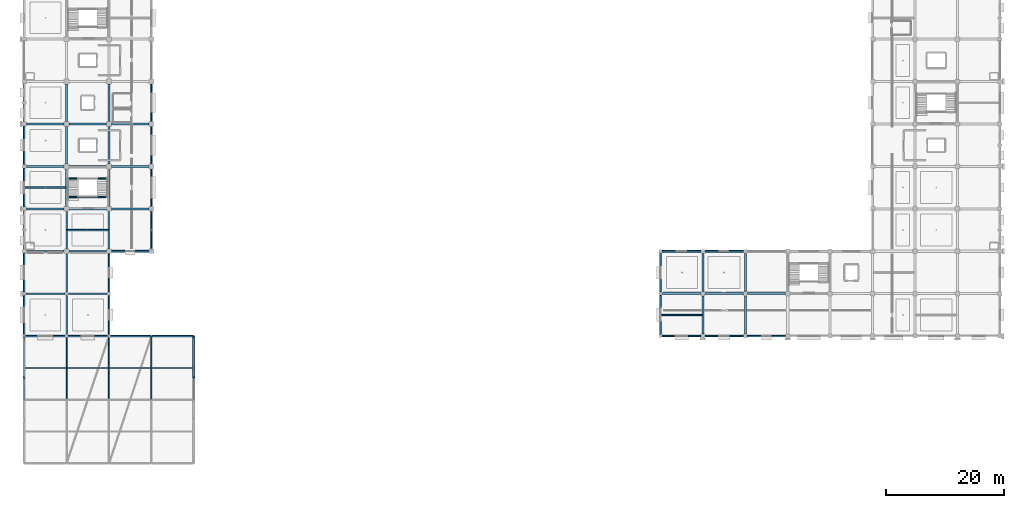
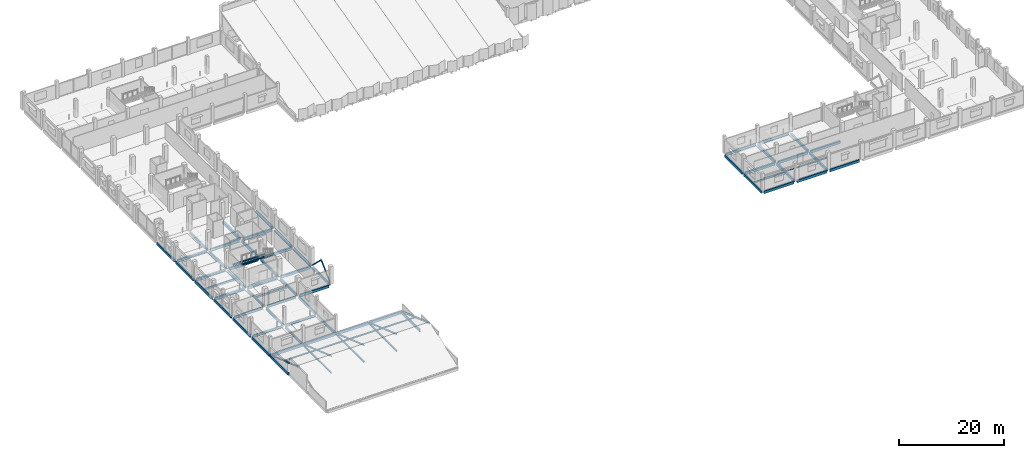
# One storey, part 5 of 108: 63 beams, 14 members.
"""IFC4 building model written with IfcOpenShell, lengths in metres."""

import ifcopenshell
import ifcopenshell.guid

model = None  # the IFC model being written
_history = None  # IfcOwnerHistory: only IFC2X3 demands one
_inside = {}  # id of a spatial element -> (the spatial element, [elements in it])
_under = {}  # id of a project, library or spatial element -> (it, [spatial elements below it])
_declared = {}  # id of a project -> (the project, [libraries it declares])
_typed = {}  # id of a type object -> (the type object, [elements of that type])
_made_of = {}  # id of a material, layer set ... -> (it, [elements and type objects made of it])


def new_model(schema):
    """Start an empty IFC model of exactly this schema.

    Asked for "IFC4X3", IfcOpenShell would pick the latest addendum, in which some entities
    have other attributes; the version numbers below select the first issue.
    IFC2X3 requires an IfcOwnerHistory on every rooted entity: one is made here for all.
    """
    global model, _history
    if schema == "IFC4X3":
        model = ifcopenshell.file(schema_version=(4, 3, 0, 0))
    else:
        model = ifcopenshell.file(schema=schema)
    _inside.clear()
    _under.clear()
    _declared.clear()
    _typed.clear()
    _made_of.clear()
    _history = None
    if model.schema == "IFC2X3":
        org = make("IfcOrganization", Name="unknown")
        user = make(
            "IfcPersonAndOrganization",
            ThePerson=make("IfcPerson", FamilyName="unknown"),
            TheOrganization=org,
        )
        app = make(
            "IfcApplication",
            ApplicationDeveloper=org,
            Version="unknown",
            ApplicationFullName="unknown",
            ApplicationIdentifier="unknown",
        )
        _history = make(
            "IfcOwnerHistory",
            OwningUser=user,
            OwningApplication=app,
            ChangeAction="ADDED",
            CreationDate=0,
        )
    return model


def make(cls, **values):
    """One entity of the class cls with the attributes given. An attribute that is None is left unset."""
    return model.create_entity(
        cls, **{name: value for name, value in values.items() if value is not None}
    )


def rooted(cls, **values):
    """An entity with a GlobalId (a new one), such as an element, a storey or a relation."""
    return make(cls, GlobalId=ifcopenshell.guid.new(), OwnerHistory=_history, **values)


def si_unit(unit_type, name, prefix=None):
    """IfcSIUnit, for example si_unit("LENGTHUNIT", "METRE", prefix="MILLI")."""
    return make("IfcSIUnit", UnitType=unit_type, Prefix=prefix, Name=name)


def assignment(units):
    """IfcUnitAssignment: the units of a project."""
    return None if units is None else make("IfcUnitAssignment", Units=units)


def point(xyz):
    """IfcCartesianPoint."""
    return None if xyz is None else make("IfcCartesianPoint", Coordinates=xyz)


def direction(xyz):
    """IfcDirection."""
    return None if xyz is None else make("IfcDirection", DirectionRatios=xyz)


def frame(location, z_axis=None, x_axis=None):
    """IfcAxis2Placement3D, a coordinate frame: its origin and axes. An axis left out is left unset."""
    return make(
        "IfcAxis2Placement3D",
        Location=point(location),
        Axis=direction(z_axis),
        RefDirection=direction(x_axis),
    )


def frame_2d(location, x_axis=None):
    """IfcAxis2Placement2D, a coordinate frame in the plane: its origin and x axis."""
    return make(
        "IfcAxis2Placement2D", Location=point(location), RefDirection=direction(x_axis)
    )


def origin():
    """The frame at (0, 0, 0) with its axes left unset."""
    return frame((0.0, 0.0, 0.0))


def origin_2d():
    """The frame at (0, 0) in the plane with its x axis left unset."""
    return frame_2d((0.0, 0.0))


def place(relative_to, where):
    """IfcLocalPlacement: puts the frame where relative to a parent placement (None: the world)."""
    return make(
        "IfcLocalPlacement", PlacementRelTo=relative_to, RelativePlacement=where
    )


def context(
    kind, dimensions, precision=None, world=None, true_north=None, identifier=None
):
    """IfcGeometricRepresentationContext, for example the 3D "Model" context."""
    return make(
        "IfcGeometricRepresentationContext",
        ContextIdentifier=identifier,
        ContextType=kind,
        CoordinateSpaceDimension=dimensions,
        Precision=precision,
        WorldCoordinateSystem=world,
        TrueNorth=true_north,
    )


def subcontext(parent, identifier, kind, view, scale=None):
    """IfcGeometricRepresentationSubContext, for example "Body" below "Model"."""
    return make(
        "IfcGeometricRepresentationSubContext",
        ContextIdentifier=identifier,
        ContextType=kind,
        ParentContext=parent,
        TargetScale=scale,
        TargetView=view,
    )


def project(units=None, contexts=None):
    """IfcProject with its units and contexts."""
    return rooted(
        "IfcProject",
        Name="project",
        RepresentationContexts=contexts,
        UnitsInContext=assignment(units),
    )


def spatial(cls, under=None, at=None, **own):
    """A site, building, storey or space (cls), placed at a placement, below another one or the project."""
    s = rooted(cls, ObjectPlacement=at, **own)
    if under is not None:
        _under.setdefault(under.id(), (under, []))[1].append(s)
    return s


def profile(cls, at=None, kind="AREA", **sizes):
    """A parametric profile (cls). Its sizes go by their IFC names, for example OverallWidth=200.0."""
    return make(cls, ProfileType=kind, Position=at, **sizes)


def rectangle(**sizes):
    """IfcRectangleProfileDef."""
    return profile("IfcRectangleProfileDef", **sizes)


def hollow_circle(**sizes):
    """IfcCircleHollowProfileDef."""
    return profile("IfcCircleHollowProfileDef", **sizes)


def i_section(**sizes):
    """IfcIShapeProfileDef."""
    return profile("IfcIShapeProfileDef", **sizes)


def extrude(swept, where, along, depth):
    """IfcExtrudedAreaSolid: the profile swept, set in the frame where, extruded along a direction by depth."""
    return make(
        "IfcExtrudedAreaSolid",
        SweptArea=swept,
        Position=where,
        ExtrudedDirection=direction(along),
        Depth=depth,
    )


def shape(context_of_items, identifier, shape_type, items):
    """IfcShapeRepresentation: the items that make up one representation, for example the "Body"."""
    return make(
        "IfcShapeRepresentation",
        ContextOfItems=context_of_items,
        RepresentationIdentifier=identifier,
        RepresentationType=shape_type,
        Items=items,
    )


def material(Name=None, Category=None):
    """IfcMaterial."""
    return make("IfcMaterial", Name=Name, Category=Category)


def material_profile(
    of_material, cross_section, Name=None, Category=None, Priority=None
):
    """IfcMaterialProfile: a cross section and its material."""
    return make(
        "IfcMaterialProfile",
        Name=Name,
        Material=of_material,
        Profile=cross_section,
        Priority=Priority,
        Category=Category,
    )


def profile_set(profiles, Name=None, composite=None):
    """IfcMaterialProfileSet."""
    return make(
        "IfcMaterialProfileSet",
        Name=Name,
        MaterialProfiles=profiles,
        CompositeProfile=composite,
    )


def made_of(thing, what):
    """Note that an element or type object is made of a material, layer set ...; save() writes the relation."""
    if what is not None:
        _made_of.setdefault(what.id(), (what, []))[1].append(thing)
    return thing


def type_object(cls, material=None, **own):
    """A type object (cls), such as IfcWallType, which elements share."""
    return made_of(rooted(cls, **own), material)


def element(
    cls,
    number,
    at=None,
    inside=None,
    cuts=None,
    type_object=None,
    material=None,
    context=None,
    identifier="Body",
    shape_type=None,
    held_by="IfcProductDefinitionShape",
    body=None,
    shapes=None,
    **own,
):
    """One element of the class cls, such as IfcWall. Its Tag is "e" and its number.

    at: its placement. inside: the storey or other place that contains it. cuts: it is an
    opening in that element (IfcRelVoidsElement). A single representation is given by context,
    identifier, shape_type and body (its items); several are given by shapes. held_by: the class
    of the entity that holds the representations. save() writes the other relations.
    """
    e = rooted(cls, Tag="e%d" % number, ObjectPlacement=at, **own)
    if body is not None:
        shapes = [shape(context, identifier, shape_type, body)]
    if shapes is not None:
        e.Representation = make(held_by, Representations=shapes)
    if inside is not None:
        _inside.setdefault(inside.id(), (inside, []))[1].append(e)
    if cuts is not None:
        rooted(
            "IfcRelVoidsElement", RelatingBuildingElement=cuts, RelatedOpeningElement=e
        )
    if type_object is not None:
        _typed.setdefault(type_object.id(), (type_object, []))[1].append(e)
    return made_of(e, material)


def aggregate(whole, parts):
    """IfcRelAggregates: a whole, such as a stair, and the parts it consists of."""
    return rooted("IfcRelAggregates", RelatingObject=whole, RelatedObjects=parts)


def save(model, path):
    """Write the relations noted so far, then the file.

    IfcRelAggregates (storeys below a building ...), IfcRelContainedInSpatialStructure (elements
    in a storey), IfcRelDefinesByType, IfcRelAssociatesMaterial and IfcRelDeclares: one each for
    every whole, place, type object, material and project.
    """
    for whole, parts in _under.values():
        aggregate(whole, parts)
    for where, things in _inside.values():
        rooted(
            "IfcRelContainedInSpatialStructure",
            RelatedElements=things,
            RelatingStructure=where,
        )
    for kind, things in _typed.values():
        rooted("IfcRelDefinesByType", RelatedObjects=things, RelatingType=kind)
    for what, things in _made_of.values():
        rooted("IfcRelAssociatesMaterial", RelatedObjects=things, RelatingMaterial=what)
    for by, libraries in _declared.values():
        rooted("IfcRelDeclares", RelatingContext=by, RelatedDefinitions=libraries)
    model.write(path)


model = new_model("IFC4")

# Units and contexts
model_context = context("Model", 3, precision=1e-05, world=origin(), true_north=direction((0.0, 1.0)))
body_context = subcontext(model_context, "Body", "Model", "MODEL_VIEW")
ifc_project = project(units=[si_unit("LENGTHUNIT", "METRE"), si_unit("AREAUNIT", "SQUARE_METRE"), si_unit("VOLUMEUNIT", "CUBIC_METRE"), si_unit("PLANEANGLEUNIT", "RADIAN"), si_unit("MASSUNIT", "GRAM", prefix="KILO")], contexts=[model_context])

# Site, building, storey
site_placement = place(None, origin())
site = spatial("IfcSite", under=ifc_project, at=site_placement, CompositionType="ELEMENT")
building_placement = place(site_placement, origin())
building = spatial("IfcBuilding", under=site, at=building_placement, Name="Kangsadwip Square Police Headquarters", CompositionType="ELEMENT")
storey_placement = place(building_placement, frame((0.0, 0.0, 9.449951171875)))
storey = spatial("IfcBuildingStorey", under=building, at=storey_placement, Name="L02", CompositionType="ELEMENT", Elevation=9.449951171875)

# Beams
ifc_material_1 = material(Name="Structural steel IS 2062 E350 (Grade 350, 350 MPa)", Category="steel")
ifc_material_profile_1 = material_profile(ifc_material_1, i_section(OverallWidth=0.25, OverallDepth=0.60009765625, WebThickness=0.01171875, FlangeThickness=0.023681640625, at=origin_2d()), Name="ISWB 600")
ifc_profile_set_1 = profile_set([ifc_material_profile_1], Name="Structural steel IS 2062 E350 (Grade 350, 350 MPa)")
beam_type_1 = type_object("IfcBeamType", Name="LinkBridgeBeamIswb600", PredefinedType="BEAM", material=ifc_profile_set_1)
beam_1_placement = place(storey_placement, frame((0.300048828125, 28.800048828125, -0.5400390625), z_axis=(1.0, 0.0, 0.0), x_axis=(0.0, 1.0, 0.0)))
element("IfcBeam", 1, at=beam_1_placement, inside=storey, type_object=beam_type_1, Name="Link Bridge Girder BM-L02-X-00-04", PredefinedType="BEAM", context=body_context, shape_type="SweptSolid", body=[
    extrude(i_section(OverallWidth=0.25, OverallDepth=0.60009765625, WebThickness=0.01171875, FlangeThickness=0.023681640625, at=origin_2d()), origin(), (0.0, 0.0, 1.0), 6.599853515625),
])
beam_2_placement = place(storey_placement, frame((7.5, 28.800048828125, -0.5400390625), z_axis=(1.0, 0.0, 0.0), x_axis=(0.0, 1.0, 0.0)))
element("IfcBeam", 2, at=beam_2_placement, inside=storey, type_object=beam_type_1, Name="Link Bridge Girder BM-L02-X-01-04", PredefinedType="BEAM", context=body_context, shape_type="SweptSolid", body=[
    extrude(i_section(OverallWidth=0.25, OverallDepth=0.60009765625, WebThickness=0.01171875, FlangeThickness=0.023681640625, at=origin_2d()), origin(), (0.0, 0.0, 1.0), 6.60009765625),
])
beam_3_placement = place(storey_placement, frame((0.39990234375, 36.0, -0.5400390625), z_axis=(1.0, 0.0, 0.0), x_axis=(0.0, 1.0, 0.0)))
element("IfcBeam", 3, at=beam_3_placement, inside=storey, type_object=beam_type_1, Name="Link Bridge Girder BM-L02-X-00-05", PredefinedType="BEAM", context=body_context, shape_type="SweptSolid", body=[
    extrude(i_section(OverallWidth=0.25, OverallDepth=0.60009765625, WebThickness=0.01171875, FlangeThickness=0.023681640625, at=origin_2d()), origin(), (0.0, 0.0, 1.0), 6.375),
])
beam_4_placement = place(storey_placement, frame((7.625, 36.0, -0.5400390625), z_axis=(1.0, 0.0, 0.0), x_axis=(0.0, 1.0, 0.0)))
element("IfcBeam", 4, at=beam_4_placement, inside=storey, type_object=beam_type_1, Name="Link Bridge Girder BM-L02-X-01-05", PredefinedType="BEAM", context=body_context, shape_type="SweptSolid", body=[
    extrude(i_section(OverallWidth=0.25, OverallDepth=0.60009765625, WebThickness=0.01171875, FlangeThickness=0.023681640625, at=origin_2d()), origin(), (0.0, 0.0, 1.0), 6.35009765625),
])
beam_5_placement = place(storey_placement, frame((7.199951171875, 21.72509765625, -0.5400390625), z_axis=(0.0, 1.0, 0.0), x_axis=(-1.0, 0.0, 0.0)))
element("IfcBeam", 5, at=beam_5_placement, inside=storey, type_object=beam_type_1, Name="Beam BM-L02-Y-01-03", PredefinedType="BEAM", context=body_context, shape_type="SweptSolid", body=[
    extrude(i_section(OverallWidth=0.25, OverallDepth=0.60009765625, WebThickness=0.01171875, FlangeThickness=0.023681640625, at=origin_2d()), origin(), (0.0, 0.0, 1.0), 6.77490234375),
])
beam_6_placement = place(storey_placement, frame((7.199951171875, 29.10009765625, -0.5400390625), z_axis=(0.0, 1.0, 0.0), x_axis=(-1.0, 0.0, 0.0)))
element("IfcBeam", 6, at=beam_6_placement, inside=storey, type_object=beam_type_1, Name="Beam BM-L02-Y-01-04", PredefinedType="BEAM", context=body_context, shape_type="SweptSolid", body=[
    extrude(i_section(OverallWidth=0.25, OverallDepth=0.60009765625, WebThickness=0.01171875, FlangeThickness=0.023681640625, at=origin_2d()), origin(), (0.0, 0.0, 1.0), 6.474853515625),
])
for number, where, z_axis, x_axis, name in (
    (7, (7.199951171875, 36.425048828125, -0.5400390625), (0.0, 1.0, 0.0), (-1.0, 0.0, 0.0), "Beam BM-L02-Y-01-05"),
    (8, (14.39990234375, 36.425048828125, -0.5400390625), (0.0, 1.0, 0.0), (-1.0, 0.0, 0.0), "Beam BM-L02-Y-02-05"),
):
    element("IfcBeam", number, at=place(storey_placement, frame(where, z_axis=z_axis, x_axis=x_axis)), inside=storey, type_object=beam_type_1, Name=name, PredefinedType="BEAM", context=body_context, shape_type="SweptSolid", body=[
        extrude(i_section(OverallWidth=0.25, OverallDepth=0.60009765625, WebThickness=0.01171875, FlangeThickness=0.023681640625, at=origin_2d()), origin(), (0.0, 0.0, 1.0), 6.349853515625),
    ])

# Members
ifc_material_2 = material(Name="Structural steel IS 2062 E350 (Grade 350, 350 MPa)", Category="steel")
ifc_material_profile_2 = material_profile(ifc_material_2, i_section(OverallWidth=0.139892578125, OverallDepth=0.35009765625, WebThickness=0.008056640625, FlangeThickness=0.01416015625, at=origin_2d()), Name="ISMB 350")
ifc_profile_set_2 = profile_set([ifc_material_profile_2], Name="Structural steel IS 2062 E350 (Grade 350, 350 MPa)")
member_type_1 = type_object("IfcMemberType", Name="PavilionRafterIsmb350", PredefinedType="RAFTER", material=ifc_profile_set_2)
for number, where, z_axis, x_axis, name in (
    (9, (0.0, 10.800048828125, 3.420166015625), (0.0, 0.943311525379, -0.331908671305), (-1.0, 0.0, 0.0), "Truss Member MEM-L02-0238"),
    (10, (7.199951171875, 10.800048828125, 3.420166015625), (0.0, 0.943311525379, -0.331908671305), (-1.0, 0.0, 0.0), "Truss Member MEM-L02-0243"),
    (11, (14.39990234375, 10.800048828125, 3.420166015625), (0.0, 0.943311525379, -0.331908671305), (-1.0, 0.0, 0.0), "Truss Member MEM-L02-0248"),
    (12, (21.60009765625, 10.800048828125, 3.420166015625), (0.0, 0.943311525379, -0.331908671305), (-1.0, 0.0, 0.0), "Truss Member MEM-L02-0253"),
    (13, (28.800048828125, 10.800048828125, 3.420166015625), (0.0, 0.943311525379, -0.331908671305), (-1.0, 0.0, 0.0), "Truss Member MEM-L02-0255"),
):
    element("IfcMember", number, at=place(storey_placement, frame(where, z_axis=z_axis, x_axis=x_axis)), inside=storey, type_object=member_type_1, Name=name, PredefinedType="RAFTER", context=body_context, shape_type="SweptSolid", body=[
        extrude(i_section(OverallWidth=0.139892578125, OverallDepth=0.35009765625, WebThickness=0.008056640625, FlangeThickness=0.01416015625, at=origin_2d()), origin(), (0.0, 0.0, 1.0), 11.448974609375),
    ])

# Beams
ifc_material_3 = material(Name="Concrete M35 (35 MPa)", Category="concrete")
ifc_material_profile_3 = material_profile(ifc_material_3, rectangle(XDim=0.35009765625, YDim=0.60009765625, at=origin_2d()), Name="RC BM 600X350")
ifc_profile_set_3 = profile_set([ifc_material_profile_3], Name="Concrete M35 (35 MPa)")
beam_type_2 = type_object("IfcBeamType", Name="RcBeam600x350", PredefinedType="BEAM", material=ifc_profile_set_3)
beam_7_placement = place(storey_placement, frame((108.300048828125, 28.800048828125, -0.5400390625), z_axis=(1.0, 0.0, 0.0), x_axis=(0.0, 1.0, 0.0)))
element("IfcBeam", 14, at=beam_7_placement, inside=storey, type_object=beam_type_2, Name="Beam BM-L02-X-15-04", PredefinedType="BEAM", context=body_context, shape_type="SweptSolid", body=[
    extrude(rectangle(XDim=0.35009765625, YDim=0.60009765625, at=origin_2d()), origin(), (0.0, 0.0, 1.0), 6.550048828125),
])
beam_8_placement = place(storey_placement, frame((115.550048828125, 28.800048828125, -0.5400390625), z_axis=(1.0, 0.0, 0.0), x_axis=(0.0, 1.0, 0.0)))
element("IfcBeam", 15, at=beam_8_placement, inside=storey, type_object=beam_type_2, Name="Beam BM-L02-X-16-04", PredefinedType="BEAM", context=body_context, shape_type="SweptSolid", body=[
    extrude(rectangle(XDim=0.35009765625, YDim=0.60009765625, at=origin_2d()), origin(), (0.0, 0.0, 1.0), 6.5),
])
beam_9_placement = place(storey_placement, frame((122.75, 28.800048828125, -0.5400390625), z_axis=(1.0, 0.0, 0.0), x_axis=(0.0, 1.0, 0.0)))
element("IfcBeam", 16, at=beam_9_placement, inside=storey, type_object=beam_type_2, Name="Beam BM-L02-X-17-04", PredefinedType="BEAM", context=body_context, shape_type="SweptSolid", body=[
    extrude(rectangle(XDim=0.35009765625, YDim=0.60009765625, at=origin_2d()), origin(), (0.0, 0.0, 1.0), 6.47509765625),
])
beam_10_placement = place(storey_placement, frame((0.39990234375, 43.199951171875, -0.5400390625), z_axis=(1.0, 0.0, 0.0), x_axis=(0.0, 1.0, 0.0)))
element("IfcBeam", 17, at=beam_10_placement, inside=storey, type_object=beam_type_2, Name="Beam BM-L02-X-00-06", PredefinedType="BEAM", context=body_context, shape_type="SweptSolid", body=[
    extrude(rectangle(XDim=0.35009765625, YDim=0.60009765625, at=origin_2d()), origin(), (0.0, 0.0, 1.0), 6.375),
])
for number, where, z_axis, x_axis, name in (
    (18, (7.625, 43.199951171875, -0.5400390625), (1.0, 0.0, 0.0), (0.0, 1.0, 0.0), "Beam BM-L02-X-01-06"),
    (19, (14.824951171875, 43.199951171875, -0.5400390625), (1.0, 0.0, 0.0), (0.0, 1.0, 0.0), "Beam BM-L02-X-02-06"),
):
    element("IfcBeam", number, at=place(storey_placement, frame(where, z_axis=z_axis, x_axis=x_axis)), inside=storey, type_object=beam_type_2, Name=name, PredefinedType="BEAM", context=body_context, shape_type="SweptSolid", body=[
        extrude(rectangle(XDim=0.35009765625, YDim=0.60009765625, at=origin_2d()), origin(), (0.0, 0.0, 1.0), 6.35009765625),
    ])
beam_11_placement = place(storey_placement, frame((0.39990234375, 50.39990234375, -0.5400390625), z_axis=(1.0, 0.0, 0.0), x_axis=(0.0, 1.0, 0.0)))
element("IfcBeam", 20, at=beam_11_placement, inside=storey, type_object=beam_type_2, Name="Beam BM-L02-X-00-07", PredefinedType="BEAM", context=body_context, shape_type="SweptSolid", body=[
    extrude(rectangle(XDim=0.35009765625, YDim=0.60009765625, at=origin_2d()), origin(), (0.0, 0.0, 1.0), 6.375),
])
for number, where, z_axis, x_axis, name in (
    (21, (7.625, 50.39990234375, -0.5400390625), (1.0, 0.0, 0.0), (0.0, 1.0, 0.0), "Beam BM-L02-X-01-07"),
    (22, (14.824951171875, 50.39990234375, -0.5400390625), (1.0, 0.0, 0.0), (0.0, 1.0, 0.0), "Beam BM-L02-X-02-07"),
):
    element("IfcBeam", number, at=place(storey_placement, frame(where, z_axis=z_axis, x_axis=x_axis)), inside=storey, type_object=beam_type_2, Name=name, PredefinedType="BEAM", context=body_context, shape_type="SweptSolid", body=[
        extrude(rectangle(XDim=0.35009765625, YDim=0.60009765625, at=origin_2d()), origin(), (0.0, 0.0, 1.0), 6.35009765625),
    ])
beam_12_placement = place(storey_placement, frame((0.39990234375, 57.60009765625, -0.5400390625), z_axis=(1.0, 0.0, 0.0), x_axis=(0.0, 1.0, 0.0)))
element("IfcBeam", 23, at=beam_12_placement, inside=storey, type_object=beam_type_2, Name="Beam BM-L02-X-00-08", PredefinedType="BEAM", context=body_context, shape_type="SweptSolid", body=[
    extrude(rectangle(XDim=0.35009765625, YDim=0.60009765625, at=origin_2d()), origin(), (0.0, 0.0, 1.0), 6.375),
])
for number, where, z_axis, x_axis, name in (
    (24, (7.625, 57.60009765625, -0.5400390625), (1.0, 0.0, 0.0), (0.0, 1.0, 0.0), "Beam BM-L02-X-01-08"),
    (25, (14.824951171875, 57.60009765625, -0.5400390625), (1.0, 0.0, 0.0), (0.0, 1.0, 0.0), "Beam BM-L02-X-02-08"),
    (26, (7.199951171875, 43.625, -0.5400390625), (0.0, 1.0, 0.0), (-1.0, 0.0, 0.0), "Beam BM-L02-Y-01-06"),
    (27, (7.199951171875, 50.824951171875, -0.5400390625), (0.0, 1.0, 0.0), (-1.0, 0.0, 0.0), "Beam BM-L02-Y-01-07"),
    (28, (7.199951171875, 58.02490234375, -0.5400390625), (0.0, 1.0, 0.0), (-1.0, 0.0, 0.0), "Beam BM-L02-Y-01-08"),
    (29, (14.39990234375, 43.625, -0.5400390625), (0.0, 1.0, 0.0), (-1.0, 0.0, 0.0), "Beam BM-L02-Y-02-06"),
    (30, (14.39990234375, 50.824951171875, -0.5400390625), (0.0, 1.0, 0.0), (-1.0, 0.0, 0.0), "Beam BM-L02-Y-02-07"),
    (31, (14.39990234375, 58.02490234375, -0.5400390625), (0.0, 1.0, 0.0), (-1.0, 0.0, 0.0), "Beam BM-L02-Y-02-08"),
):
    element("IfcBeam", number, at=place(storey_placement, frame(where, z_axis=z_axis, x_axis=x_axis)), inside=storey, type_object=beam_type_2, Name=name, PredefinedType="BEAM", context=body_context, shape_type="SweptSolid", body=[
        extrude(rectangle(XDim=0.35009765625, YDim=0.60009765625, at=origin_2d()), origin(), (0.0, 0.0, 1.0), 6.35009765625),
    ])
for number, where, z_axis, x_axis, name in (
    (32, (115.199951171875, 21.949951171875, -0.5400390625), (0.0, 1.0, 0.0), (-1.0, 0.0, 0.0), "Beam BM-L02-Y-16-03"),
    (33, (115.199951171875, 29.14990234375, -0.5400390625), (0.0, 1.0, 0.0), (-1.0, 0.0, 0.0), "Beam BM-L02-Y-16-04"),
    (34, (122.39990234375, 21.949951171875, -0.5400390625), (0.0, 1.0, 0.0), (-1.0, 0.0, 0.0), "Beam BM-L02-Y-17-03"),
    (35, (122.39990234375, 29.14990234375, -0.5400390625), (0.0, 1.0, 0.0), (-1.0, 0.0, 0.0), "Beam BM-L02-Y-17-04"),
):
    element("IfcBeam", number, at=place(storey_placement, frame(where, z_axis=z_axis, x_axis=x_axis)), inside=storey, type_object=beam_type_2, Name=name, PredefinedType="BEAM", context=body_context, shape_type="SweptSolid", body=[
        extrude(rectangle(XDim=0.35009765625, YDim=0.60009765625, at=origin_2d()), origin(), (0.0, 0.0, 1.0), 6.5),
    ])
ifc_material_4 = material(Name="Concrete M35 (35 MPa)", Category="concrete")
ifc_material_profile_4 = material_profile(ifc_material_4, rectangle(XDim=0.22998046875, YDim=0.35009765625, at=origin_2d()), Name="RC JST 350X230")
ifc_profile_set_4 = profile_set([ifc_material_profile_4], Name="Concrete M35 (35 MPa)")
beam_type_3 = type_object("IfcBeamType", Name="RcJoist350x230", PredefinedType="JOIST", material=ifc_profile_set_4)
beam_13_placement = place(storey_placement, frame((108.110107421875, 25.199951171875, -0.4150390625), z_axis=(1.0, 0.0, 0.0), x_axis=(0.0, 1.0, 0.0)))
element("IfcBeam", 36, at=beam_13_placement, inside=storey, type_object=beam_type_3, Name="Secondary Joist JST-L02-15-03", PredefinedType="JOIST", context=body_context, shape_type="SweptSolid", body=[
    extrude(rectangle(XDim=0.22998046875, YDim=0.35009765625, at=origin_2d()), origin(), (0.0, 0.0, 1.0), 6.97998046875),
])
ifc_material_5 = material(Name="Concrete M35 (35 MPa)", Category="concrete")
ifc_material_profile_5 = material_profile(ifc_material_5, rectangle(XDim=0.25, YDim=0.39990234375, at=origin_2d()), Name="RC JST 400X250")
ifc_profile_set_5 = profile_set([ifc_material_profile_5], Name="Concrete M35 (35 MPa)")
beam_type_4 = type_object("IfcBeamType", Name="RcJoist400x250", PredefinedType="JOIST", material=ifc_profile_set_5)
for number, where, z_axis, x_axis, name in (
    (37, (0.110107421875, 46.800048828125, -0.43994140625), (1.0, 0.0, 0.0), (0.0, 1.0, 0.0), "Secondary Joist JST-L02-00-06"),
    (38, (7.31005859375, 39.60009765625, -0.43994140625), (1.0, 0.0, 0.0), (0.0, 1.0, 0.0), "Secondary Joist JST-L02-01-05"),
):
    element("IfcBeam", number, at=place(storey_placement, frame(where, z_axis=z_axis, x_axis=x_axis)), inside=storey, type_object=beam_type_4, Name=name, PredefinedType="JOIST", context=body_context, shape_type="SweptSolid", body=[
        extrude(rectangle(XDim=0.25, YDim=0.39990234375, at=origin_2d()), origin(), (0.0, 0.0, 1.0), 6.97998046875),
    ])
ifc_material_6 = material(Name="Concrete M30 (30 MPa)", Category="concrete")
ifc_material_profile_6 = material_profile(ifc_material_6, rectangle(XDim=0.199951171875, YDim=0.25, at=origin_2d()), Name="RC LNT 250X200")
ifc_profile_set_6 = profile_set([ifc_material_profile_6], Name="Concrete M30 (30 MPa)")
beam_type_5 = type_object("IfcBeamType", Name="RcLintel250x200", PredefinedType="LINTEL", material=ifc_profile_set_6)
beam_14_placement = place(storey_placement, frame((108.27490234375, 21.60009765625, 2.625), z_axis=(1.0, 0.0, 0.0), x_axis=(0.0, 1.0, 0.0)))
element("IfcBeam", 39, at=beam_14_placement, inside=storey, type_object=beam_type_5, Name="Opening Lintel Beam LNT-L02-0376", PredefinedType="LINTEL", context=body_context, shape_type="SweptSolid", body=[
    extrude(rectangle(XDim=0.199951171875, YDim=0.25, at=origin_2d()), origin(), (0.0, 0.0, 1.0), 6.60009765625),
])
beam_15_placement = place(storey_placement, frame((115.52490234375, 21.60009765625, 2.625), z_axis=(1.0, 0.0, 0.0), x_axis=(0.0, 1.0, 0.0)))
element("IfcBeam", 40, at=beam_15_placement, inside=storey, type_object=beam_type_5, Name="Opening Lintel Beam LNT-L02-0377", PredefinedType="LINTEL", context=body_context, shape_type="SweptSolid", body=[
    extrude(rectangle(XDim=0.199951171875, YDim=0.25, at=origin_2d()), origin(), (0.0, 0.0, 1.0), 6.550048828125),
])
for number, where, z_axis, x_axis, name in (
    (41, (7.300048828125, 48.340087890625, 1.801025390625), (1.0, 0.0, 0.0), (0.0, 1.0, 0.0), "Stair Carriage and Landing Beam BM-ST-L02-008"),
    (42, (7.300048828125, 45.219970703125, 3.68505859375), (1.0, 0.0, 0.0), (0.0, 1.0, 0.0), "Stair Carriage and Landing Beam BM-ST-L02-009"),
):
    element("IfcBeam", number, at=place(storey_placement, frame(where, z_axis=z_axis, x_axis=x_axis)), inside=storey, type_object=beam_type_5, Name=name, PredefinedType="BEAM", context=body_context, shape_type="SweptSolid", body=[
        extrude(rectangle(XDim=0.199951171875, YDim=0.25, at=origin_2d()), origin(), (0.0, 0.0, 1.0), 7.0),
    ])
ifc_material_7 = material(Name="Concrete M40 (40 MPa)", Category="concrete")
ifc_material_profile_7 = material_profile(ifc_material_7, rectangle(XDim=0.280029296875, YDim=0.60009765625, at=origin_2d()), Name="RC SPN 600X280")
ifc_profile_set_7 = profile_set([ifc_material_profile_7], Name="Concrete M40 (40 MPa)")
beam_type_6 = type_object("IfcBeamType", Name="RcSpandrel600x280", PredefinedType="SPANDREL", material=ifc_profile_set_7)
for number, where, z_axis, x_axis, name in (
    (43, (0.125, 21.60009765625, -0.5400390625), (1.0, 0.0, 0.0), (0.0, 1.0, 0.0), "Beam BM-L02-X-00-03"),
    (44, (7.324951171875, 21.60009765625, -0.5400390625), (1.0, 0.0, 0.0), (0.0, 1.0, 0.0), "Beam BM-L02-X-01-03"),
):
    element("IfcBeam", number, at=place(storey_placement, frame(where, z_axis=z_axis, x_axis=x_axis)), inside=storey, type_object=beam_type_6, Name=name, PredefinedType="SPANDREL", context=body_context, shape_type="SweptSolid", body=[
        extrude(rectangle(XDim=0.280029296875, YDim=0.60009765625, at=origin_2d()), origin(), (0.0, 0.0, 1.0), 6.949951171875),
    ])
beam_16_placement = place(storey_placement, frame((14.52490234375, 21.60009765625, -0.5400390625), z_axis=(1.0, 0.0, 0.0), x_axis=(0.0, 1.0, 0.0)))
element("IfcBeam", 45, at=beam_16_placement, inside=storey, type_object=beam_type_6, Name="Beam BM-L02-X-02-03", PredefinedType="SPANDREL", context=body_context, shape_type="SweptSolid", body=[
    extrude(rectangle(XDim=0.280029296875, YDim=0.60009765625, at=origin_2d()), origin(), (0.0, 0.0, 1.0), 6.9501953125),
])
beam_17_placement = place(storey_placement, frame((21.72509765625, 21.60009765625, -0.5400390625), z_axis=(1.0, 0.0, 0.0), x_axis=(0.0, 1.0, 0.0)))
element("IfcBeam", 46, at=beam_17_placement, inside=storey, type_object=beam_type_6, Name="Beam BM-L02-X-03-03", PredefinedType="SPANDREL", context=body_context, shape_type="SweptSolid", body=[
    extrude(rectangle(XDim=0.280029296875, YDim=0.60009765625, at=origin_2d()), origin(), (0.0, 0.0, 1.0), 6.949951171875),
])
for number, where, z_axis, x_axis, name in (
    (47, (0.0, 14.52490234375, -0.5400390625), (0.0, 1.0, 0.0), (-1.0, 0.0, 0.0), "Beam BM-L02-Y-00-02"),
    (48, (28.800048828125, 14.52490234375, -0.5400390625), (0.0, 1.0, 0.0), (-1.0, 0.0, 0.0), "Beam BM-L02-Y-04-02"),
):
    element("IfcBeam", number, at=place(storey_placement, frame(where, z_axis=z_axis, x_axis=x_axis)), inside=storey, type_object=beam_type_6, Name=name, PredefinedType="SPANDREL", context=body_context, shape_type="SweptSolid", body=[
        extrude(rectangle(XDim=0.280029296875, YDim=0.60009765625, at=origin_2d()), origin(), (0.0, 0.0, 1.0), 6.9501953125),
    ])
beam_18_placement = place(storey_placement, frame((108.300048828125, 21.60009765625, -0.5400390625), z_axis=(1.0, 0.0, 0.0), x_axis=(0.0, 1.0, 0.0)))
element("IfcBeam", 49, at=beam_18_placement, inside=storey, type_object=beam_type_6, Name="Beam BM-L02-X-15-03", PredefinedType="SPANDREL", context=body_context, shape_type="SweptSolid", body=[
    extrude(rectangle(XDim=0.280029296875, YDim=0.60009765625, at=origin_2d()), origin(), (0.0, 0.0, 1.0), 6.550048828125),
])
beam_19_placement = place(storey_placement, frame((115.550048828125, 21.60009765625, -0.5400390625), z_axis=(1.0, 0.0, 0.0), x_axis=(0.0, 1.0, 0.0)))
element("IfcBeam", 50, at=beam_19_placement, inside=storey, type_object=beam_type_6, Name="Beam BM-L02-X-16-03", PredefinedType="SPANDREL", context=body_context, shape_type="SweptSolid", body=[
    extrude(rectangle(XDim=0.280029296875, YDim=0.60009765625, at=origin_2d()), origin(), (0.0, 0.0, 1.0), 6.5),
])
beam_20_placement = place(storey_placement, frame((122.75, 21.60009765625, -0.5400390625), z_axis=(1.0, 0.0, 0.0), x_axis=(0.0, 1.0, 0.0)))
element("IfcBeam", 51, at=beam_20_placement, inside=storey, type_object=beam_type_6, Name="Beam BM-L02-X-17-03", PredefinedType="SPANDREL", context=body_context, shape_type="SweptSolid", body=[
    extrude(rectangle(XDim=0.280029296875, YDim=0.60009765625, at=origin_2d()), origin(), (0.0, 0.0, 1.0), 6.47509765625),
])
beam_21_placement = place(storey_placement, frame((14.824951171875, 36.0, -0.5400390625), z_axis=(1.0, 0.0, 0.0), x_axis=(0.0, 1.0, 0.0)))
element("IfcBeam", 52, at=beam_21_placement, inside=storey, type_object=beam_type_6, Name="Beam BM-L02-X-02-05", PredefinedType="SPANDREL", context=body_context, shape_type="SweptSolid", body=[
    extrude(rectangle(XDim=0.280029296875, YDim=0.60009765625, at=origin_2d()), origin(), (0.0, 0.0, 1.0), 6.35009765625),
])
beam_22_placement = place(storey_placement, frame((108.300048828125, 36.0, -0.5400390625), z_axis=(1.0, 0.0, 0.0), x_axis=(0.0, 1.0, 0.0)))
element("IfcBeam", 53, at=beam_22_placement, inside=storey, type_object=beam_type_6, Name="Beam BM-L02-X-15-05", PredefinedType="SPANDREL", context=body_context, shape_type="SweptSolid", body=[
    extrude(rectangle(XDim=0.280029296875, YDim=0.60009765625, at=origin_2d()), origin(), (0.0, 0.0, 1.0), 6.550048828125),
])
beam_23_placement = place(storey_placement, frame((115.550048828125, 36.0, -0.5400390625), z_axis=(1.0, 0.0, 0.0), x_axis=(0.0, 1.0, 0.0)))
element("IfcBeam", 54, at=beam_23_placement, inside=storey, type_object=beam_type_6, Name="Beam BM-L02-X-16-05", PredefinedType="SPANDREL", context=body_context, shape_type="SweptSolid", body=[
    extrude(rectangle(XDim=0.280029296875, YDim=0.60009765625, at=origin_2d()), origin(), (0.0, 0.0, 1.0), 6.5),
])
beam_24_placement = place(storey_placement, frame((0.0, 21.72509765625, -0.5400390625), z_axis=(0.0, 1.0, 0.0), x_axis=(-1.0, 0.0, 0.0)))
element("IfcBeam", 55, at=beam_24_placement, inside=storey, type_object=beam_type_6, Name="Beam BM-L02-Y-00-03", PredefinedType="SPANDREL", context=body_context, shape_type="SweptSolid", body=[
    extrude(rectangle(XDim=0.280029296875, YDim=0.60009765625, at=origin_2d()), origin(), (0.0, 0.0, 1.0), 6.77490234375),
])
for number, where, z_axis, x_axis, name in (
    (56, (0.0, 29.10009765625, -0.5400390625), (0.0, 1.0, 0.0), (-1.0, 0.0, 0.0), "Beam BM-L02-Y-00-04"),
    (57, (0.0, 36.300048828125, -0.5400390625), (0.0, 1.0, 0.0), (-1.0, 0.0, 0.0), "Beam BM-L02-Y-00-05"),
):
    element("IfcBeam", number, at=place(storey_placement, frame(where, z_axis=z_axis, x_axis=x_axis)), inside=storey, type_object=beam_type_6, Name=name, PredefinedType="SPANDREL", context=body_context, shape_type="SweptSolid", body=[
        extrude(rectangle(XDim=0.280029296875, YDim=0.60009765625, at=origin_2d()), origin(), (0.0, 0.0, 1.0), 6.599853515625),
    ])
for number, where, z_axis, x_axis, name in (
    (58, (0.0, 43.5, -0.5400390625), (0.0, 1.0, 0.0), (-1.0, 0.0, 0.0), "Beam BM-L02-Y-00-06"),
    (59, (0.0, 50.699951171875, -0.5400390625), (0.0, 1.0, 0.0), (-1.0, 0.0, 0.0), "Beam BM-L02-Y-00-07"),
    (60, (0.0, 57.89990234375, -0.5400390625), (0.0, 1.0, 0.0), (-1.0, 0.0, 0.0), "Beam BM-L02-Y-00-08"),
):
    element("IfcBeam", number, at=place(storey_placement, frame(where, z_axis=z_axis, x_axis=x_axis)), inside=storey, type_object=beam_type_6, Name=name, PredefinedType="SPANDREL", context=body_context, shape_type="SweptSolid", body=[
        extrude(rectangle(XDim=0.280029296875, YDim=0.60009765625, at=origin_2d()), origin(), (0.0, 0.0, 1.0), 6.60009765625),
    ])
beam_25_placement = place(storey_placement, frame((14.39990234375, 21.72509765625, -0.5400390625), z_axis=(0.0, 1.0, 0.0), x_axis=(-1.0, 0.0, 0.0)))
element("IfcBeam", 61, at=beam_25_placement, inside=storey, type_object=beam_type_6, Name="Beam BM-L02-Y-02-03", PredefinedType="SPANDREL", context=body_context, shape_type="SweptSolid", body=[
    extrude(rectangle(XDim=0.280029296875, YDim=0.60009765625, at=origin_2d()), origin(), (0.0, 0.0, 1.0), 6.77490234375),
])
beam_26_placement = place(storey_placement, frame((14.39990234375, 29.10009765625, -0.5400390625), z_axis=(0.0, 1.0, 0.0), x_axis=(-1.0, 0.0, 0.0)))
element("IfcBeam", 62, at=beam_26_placement, inside=storey, type_object=beam_type_6, Name="Beam BM-L02-Y-02-04", PredefinedType="SPANDREL", context=body_context, shape_type="SweptSolid", body=[
    extrude(rectangle(XDim=0.280029296875, YDim=0.60009765625, at=origin_2d()), origin(), (0.0, 0.0, 1.0), 6.474853515625),
])
beam_27_placement = place(storey_placement, frame((21.60009765625, 36.425048828125, -0.5400390625), z_axis=(0.0, 1.0, 0.0), x_axis=(-1.0, 0.0, 0.0)))
element("IfcBeam", 63, at=beam_27_placement, inside=storey, type_object=beam_type_6, Name="Beam BM-L02-Y-03-05", PredefinedType="SPANDREL", context=body_context, shape_type="SweptSolid", body=[
    extrude(rectangle(XDim=0.280029296875, YDim=0.60009765625, at=origin_2d()), origin(), (0.0, 0.0, 1.0), 6.349853515625),
])
for number, where, z_axis, x_axis, name in (
    (64, (21.60009765625, 43.625, -0.5400390625), (0.0, 1.0, 0.0), (-1.0, 0.0, 0.0), "Beam BM-L02-Y-03-06"),
    (65, (21.60009765625, 50.824951171875, -0.5400390625), (0.0, 1.0, 0.0), (-1.0, 0.0, 0.0), "Beam BM-L02-Y-03-07"),
    (66, (21.60009765625, 58.02490234375, -0.5400390625), (0.0, 1.0, 0.0), (-1.0, 0.0, 0.0), "Beam BM-L02-Y-03-08"),
):
    element("IfcBeam", number, at=place(storey_placement, frame(where, z_axis=z_axis, x_axis=x_axis)), inside=storey, type_object=beam_type_6, Name=name, PredefinedType="SPANDREL", context=body_context, shape_type="SweptSolid", body=[
        extrude(rectangle(XDim=0.280029296875, YDim=0.60009765625, at=origin_2d()), origin(), (0.0, 0.0, 1.0), 6.35009765625),
    ])
beam_28_placement = place(storey_placement, frame((108.0, 21.89990234375, -0.5400390625), z_axis=(0.0, 1.0, 0.0), x_axis=(-1.0, 0.0, 0.0)))
element("IfcBeam", 67, at=beam_28_placement, inside=storey, type_object=beam_type_6, Name="Beam BM-L02-Y-15-03", PredefinedType="SPANDREL", context=body_context, shape_type="SweptSolid", body=[
    extrude(rectangle(XDim=0.280029296875, YDim=0.60009765625, at=origin_2d()), origin(), (0.0, 0.0, 1.0), 6.60009765625),
])
beam_29_placement = place(storey_placement, frame((108.0, 29.10009765625, -0.5400390625), z_axis=(0.0, 1.0, 0.0), x_axis=(-1.0, 0.0, 0.0)))
element("IfcBeam", 68, at=beam_29_placement, inside=storey, type_object=beam_type_6, Name="Beam BM-L02-Y-15-04", PredefinedType="SPANDREL", context=body_context, shape_type="SweptSolid", body=[
    extrude(rectangle(XDim=0.280029296875, YDim=0.60009765625, at=origin_2d()), origin(), (0.0, 0.0, 1.0), 6.599853515625),
])

# Members
ifc_material_8 = material(Name="Structural steel IS 2062 E350 (Grade 350, 350 MPa)", Category="steel")
ifc_material_profile_8 = material_profile(ifc_material_8, i_section(OverallWidth=0.125, OverallDepth=0.25, WebThickness=0.0068359375, FlangeThickness=0.012451171875, at=origin_2d()), Name="ISMB 250")
ifc_profile_set_8 = profile_set([ifc_material_profile_8], Name="Structural steel IS 2062 E350 (Grade 350, 350 MPa)")
member_type_2 = type_object("IfcMemberType", Name="RoofPurlinIsmb250", PredefinedType="PURLIN", material=ifc_profile_set_8)
for number, where, z_axis, x_axis, name in (
    (69, (0.0, 16.199951171875, 1.594970703125), (1.0, 0.0, 0.0), (0.0, 1.0, 0.0), "Truss Member MEM-L02-0258"),
    (70, (7.199951171875, 16.199951171875, 1.594970703125), (1.0, 0.0, 0.0), (0.0, 1.0, 0.0), "Truss Member MEM-L02-0261"),
):
    element("IfcMember", number, at=place(storey_placement, frame(where, z_axis=z_axis, x_axis=x_axis)), inside=storey, type_object=member_type_2, Name=name, PredefinedType="PURLIN", context=body_context, shape_type="SweptSolid", body=[
        extrude(i_section(OverallWidth=0.125, OverallDepth=0.25, WebThickness=0.0068359375, FlangeThickness=0.012451171875, at=origin_2d()), origin(), (0.0, 0.0, 1.0), 7.199951171875),
    ])
member_1_placement = place(storey_placement, frame((14.39990234375, 16.199951171875, 1.594970703125), z_axis=(1.0, 0.0, 0.0), x_axis=(0.0, 1.0, 0.0)))
element("IfcMember", 71, at=member_1_placement, inside=storey, type_object=member_type_2, Name="Truss Member MEM-L02-0265", PredefinedType="PURLIN", context=body_context, shape_type="SweptSolid", body=[
    extrude(i_section(OverallWidth=0.125, OverallDepth=0.25, WebThickness=0.0068359375, FlangeThickness=0.012451171875, at=origin_2d()), origin(), (0.0, 0.0, 1.0), 7.2001953125),
])
member_2_placement = place(storey_placement, frame((21.60009765625, 16.199951171875, 1.594970703125), z_axis=(1.0, 0.0, 0.0), x_axis=(0.0, 1.0, 0.0)))
element("IfcMember", 72, at=member_2_placement, inside=storey, type_object=member_type_2, Name="Truss Member MEM-L02-0269", PredefinedType="PURLIN", context=body_context, shape_type="SweptSolid", body=[
    extrude(i_section(OverallWidth=0.125, OverallDepth=0.25, WebThickness=0.0068359375, FlangeThickness=0.012451171875, at=origin_2d()), origin(), (0.0, 0.0, 1.0), 7.199951171875),
])
ifc_material_9 = material(Name="Structural steel IS 2062 E350 (Grade 350, 350 MPa)", Category="steel")
ifc_material_profile_9 = material_profile(ifc_material_9, i_section(OverallWidth=0.25, OverallDepth=0.300048828125, WebThickness=0.009521484375, FlangeThickness=0.010498046875, at=origin_2d()), Name="ISHB 300")
ifc_profile_set_9 = profile_set([ifc_material_profile_9], Name="Structural steel IS 2062 E350 (Grade 350, 350 MPa)")
member_type_3 = type_object("IfcMemberType", Name="TrussBotChordIshb300", PredefinedType="CHORD", material=ifc_profile_set_9)
for number, where, z_axis, x_axis, name in (
    (73, (7.199951171875, 10.800048828125, -0.52001953125), (0.0, 1.0, 0.0), (-1.0, 0.0, 0.0), "Truss Member MEM-L02-0240"),
    (74, (14.39990234375, 10.800048828125, -0.52001953125), (0.0, 1.0, 0.0), (-1.0, 0.0, 0.0), "Truss Member MEM-L02-0245"),
    (75, (21.60009765625, 10.800048828125, -0.52001953125), (0.0, 1.0, 0.0), (-1.0, 0.0, 0.0), "Truss Member MEM-L02-0250"),
):
    element("IfcMember", number, at=place(storey_placement, frame(where, z_axis=z_axis, x_axis=x_axis)), inside=storey, type_object=member_type_3, Name=name, PredefinedType="CHORD", context=body_context, shape_type="SweptSolid", body=[
        extrude(i_section(OverallWidth=0.25, OverallDepth=0.300048828125, WebThickness=0.009521484375, FlangeThickness=0.010498046875, at=origin_2d()), origin(), (0.0, 0.0, 1.0), 10.800048828125),
    ])
ifc_material_10 = material(Name="Structural steel IS 2062 E350 (Grade 350, 350 MPa)", Category="steel")
ifc_material_profile_10 = material_profile(ifc_material_10, hollow_circle(Radius=0.136474609375, WallThickness=0.010009765625, at=origin_2d()), Name="CHS 273X10")
ifc_profile_set_10 = profile_set([ifc_material_profile_10], Name="Structural steel IS 2062 E350 (Grade 350, 350 MPa)")
member_type_4 = type_object("IfcMemberType", Name="TrussBraceChs273", PredefinedType="BRACE", material=ifc_profile_set_10)
member_3_placement = place(storey_placement, frame((21.60009765625, 36.300048828125, 0.0), z_axis=(0.0, 0.716823350173, 0.697254820454), x_axis=(-1.0, 0.0, 0.0)))
element("IfcMember", 76, at=member_3_placement, inside=storey, type_object=member_type_4, Name="Truss Member MEM-L02-0274", PredefinedType="BRACE", context=body_context, shape_type="SweptSolid", body=[
    extrude(hollow_circle(Radius=0.136474609375, WallThickness=0.010009765625, at=origin_2d()), origin(), (0.0, 0.0, 1.0), 4.603759765625),
])
member_4_placement = place(storey_placement, frame((21.60009765625, 42.89990234375, 0.0), z_axis=(0.0, -0.716797566805, 0.697281326454), x_axis=(1.0, 0.0, 0.0)))
element("IfcMember", 77, at=member_4_placement, inside=storey, type_object=member_type_4, Name="Truss Member MEM-L02-0275", PredefinedType="BRACE", context=body_context, shape_type="SweptSolid", body=[
    extrude(hollow_circle(Radius=0.136474609375, WallThickness=0.010009765625, at=origin_2d()), origin(), (0.0, 0.0, 1.0), 4.603515625),
])

save(model, "model.ifc")
